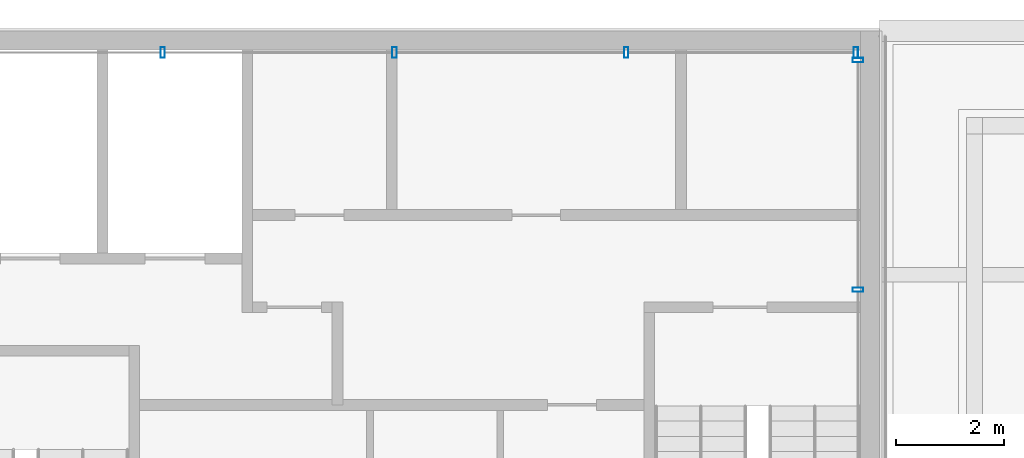
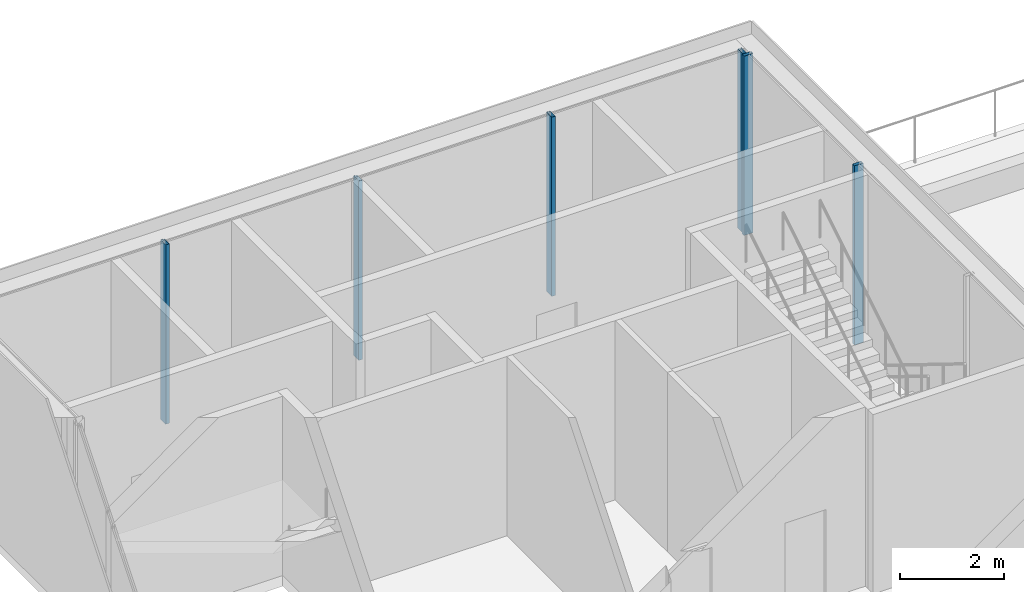
# One storey, part 7 of 11: 6 members, 2 elements without a shape of their own.
"""IFC4 building model written with IfcOpenShell, lengths in metres."""

from ifc_helpers import new_model, si_unit, direction, frame, origin, origin_2d, place, context, subcontext, project, spatial, hollow_rectangle, extrude, material, material_profile, profile_set, type_object, element, aggregate, save


model = new_model("IFC4")

# Units and contexts
model_context = context("Model", 3, precision=1e-05, world=origin(), true_north=direction((0.0, 1.0)))
body_context = subcontext(model_context, "Body", "Model", "MODEL_VIEW")
ifc_project = project(units=[si_unit("LENGTHUNIT", "METRE"), si_unit("AREAUNIT", "SQUARE_METRE"), si_unit("VOLUMEUNIT", "CUBIC_METRE"), si_unit("PLANEANGLEUNIT", "RADIAN"), si_unit("MASSUNIT", "GRAM", prefix="KILO")], contexts=[model_context])

# Site, building, storey
site_placement = place(None, origin())
site = spatial("IfcSite", under=ifc_project, at=site_placement, CompositionType="ELEMENT")
building_placement = place(site_placement, origin())
building = spatial("IfcBuilding", under=site, at=building_placement, Name="Altepetl Exchange Towers", CompositionType="ELEMENT")
storey_placement = place(building_placement, frame((0.0, 0.0, 274.60009765625)))
storey = spatial("IfcBuildingStorey", under=building, at=storey_placement, Name="L69 Crown plant", CompositionType="ELEMENT", Elevation=274.60009765625)

# Curtain wall, members
ifc_material_1 = material(Name="Aluminium 6063-T6 glazing", Category="aluminium")
curtain_wall_type = type_object("IfcCurtainWallType", Name="Crown glazing system", PredefinedType="NOTDEFINED", material=ifc_material_1)
curtain_wall_1_placement = place(storey_placement, origin())
curtain_wall_1 = element("IfcCurtainWall", 1, at=curtain_wall_1_placement, inside=storey, type_object=curtain_wall_type, Name="CW7 run", PredefinedType="NOTDEFINED")
ifc_material_2 = material(Name="Aluminium 6063-T6", Category="aluminium")
ifc_material_profile = material_profile(ifc_material_2, hollow_rectangle(XDim=0.080078125, YDim=0.199951171875, WallThickness=0.0029296875, at=origin_2d()), Name="Mullion 80x200 hollow aluminium")
ifc_profile_set = profile_set([ifc_material_profile], Name="Aluminium 6063-T6")
member_type = type_object("IfcMemberType", Name="Mullion 80x200 hollow aluminium", PredefinedType="MULLION", material=ifc_profile_set)
member_1_placement = place(storey_placement, frame((58.10009765625, 53.72509765625, 0.0), z_axis=(0.0, 0.0, 1.0), x_axis=(0.0, 1.0, 0.0)))
member_1 = element("IfcMember", 2, at=member_1_placement, type_object=member_type, Name="MU5 mullion", PredefinedType="MULLION", context=body_context, shape_type="SweptSolid", body=[
    extrude(hollow_rectangle(XDim=0.080078125, YDim=0.199951171875, WallThickness=0.0029296875, at=origin_2d()), origin(), (0.0, 0.0, 1.0), 4.199951171875),
])
member_2_placement = place(storey_placement, frame((58.10009765625, 57.9599609375, 0.0), z_axis=(0.0, 0.0, 1.0), x_axis=(0.0, 1.0, 0.0)))
member_2 = element("IfcMember", 3, at=member_2_placement, type_object=member_type, Name="MU5 mullion", PredefinedType="MULLION", context=body_context, shape_type="SweptSolid", body=[
    extrude(hollow_rectangle(XDim=0.080078125, YDim=0.199951171875, WallThickness=0.0029296875, at=origin_2d()), origin(), (0.0, 0.0, 1.0), 4.199951171875),
])
aggregate(curtain_wall_1, [member_1, member_2])

curtain_wall_2_placement = place(storey_placement, origin())
curtain_wall_2 = element("IfcCurtainWall", 4, at=curtain_wall_2_placement, inside=storey, type_object=curtain_wall_type, Name="CW7 run", PredefinedType="NOTDEFINED")
member_3_placement = place(storey_placement, frame((58.06005859375, 58.10009765625, 0.0), z_axis=(0.0, 0.0, 1.0), x_axis=(-1.0, 0.0, 0.0)))
member_3 = element("IfcMember", 5, at=member_3_placement, type_object=member_type, Name="MU5 mullion", PredefinedType="MULLION", context=body_context, shape_type="SweptSolid", body=[
    extrude(hollow_rectangle(XDim=0.080078125, YDim=0.199951171875, WallThickness=0.0029296875, at=origin_2d()), origin(), (0.0, 0.0, 1.0), 4.199951171875),
])
member_4_placement = place(storey_placement, frame((53.824951171875, 58.10009765625, 0.0), z_axis=(0.0, 0.0, 1.0), x_axis=(-1.0, 0.0, 0.0)))
member_4 = element("IfcMember", 6, at=member_4_placement, type_object=member_type, Name="MU5 mullion", PredefinedType="MULLION", context=body_context, shape_type="SweptSolid", body=[
    extrude(hollow_rectangle(XDim=0.080078125, YDim=0.199951171875, WallThickness=0.0029296875, at=origin_2d()), origin(), (0.0, 0.0, 1.0), 4.199951171875),
])
member_5_placement = place(storey_placement, frame((49.550048828125, 58.10009765625, 0.0), z_axis=(0.0, 0.0, 1.0), x_axis=(-1.0, 0.0, 0.0)))
member_5 = element("IfcMember", 7, at=member_5_placement, type_object=member_type, Name="MU5 mullion", PredefinedType="MULLION", context=body_context, shape_type="SweptSolid", body=[
    extrude(hollow_rectangle(XDim=0.080078125, YDim=0.199951171875, WallThickness=0.0029296875, at=origin_2d()), origin(), (0.0, 0.0, 1.0), 4.199951171875),
])
member_6_placement = place(storey_placement, frame((45.27490234375, 58.10009765625, 0.0), z_axis=(0.0, 0.0, 1.0), x_axis=(-1.0, 0.0, 0.0)))
member_6 = element("IfcMember", 8, at=member_6_placement, type_object=member_type, Name="MU5 mullion", PredefinedType="MULLION", context=body_context, shape_type="SweptSolid", body=[
    extrude(hollow_rectangle(XDim=0.080078125, YDim=0.199951171875, WallThickness=0.0029296875, at=origin_2d()), origin(), (0.0, 0.0, 1.0), 4.199951171875),
])
aggregate(curtain_wall_2, [member_3, member_4, member_5, member_6])

save(model, "model.ifc")
